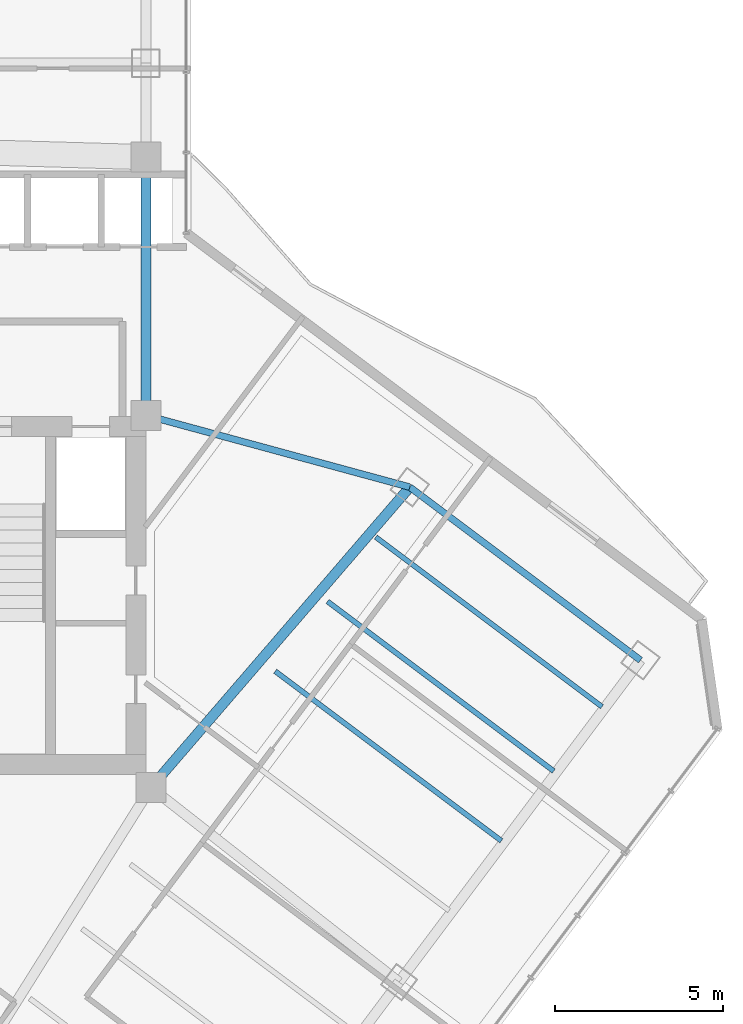
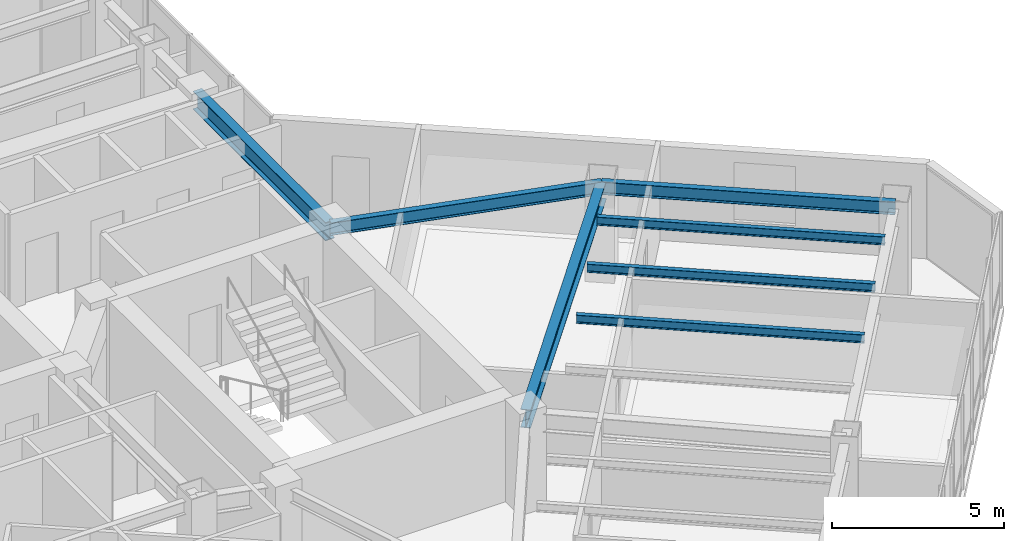
# One storey, part 14 of 27: 7 beams.
"""IFC4 building model written with IfcOpenShell, lengths in metres."""

import ifcopenshell
import ifcopenshell.guid

model = None  # the IFC model being written
_history = None  # IfcOwnerHistory: only IFC2X3 demands one
_inside = {}  # id of a spatial element -> (the spatial element, [elements in it])
_under = {}  # id of a project, library or spatial element -> (it, [spatial elements below it])
_declared = {}  # id of a project -> (the project, [libraries it declares])
_typed = {}  # id of a type object -> (the type object, [elements of that type])
_made_of = {}  # id of a material, layer set ... -> (it, [elements and type objects made of it])


def new_model(schema):
    """Start an empty IFC model of exactly this schema.

    Asked for "IFC4X3", IfcOpenShell would pick the latest addendum, in which some entities
    have other attributes; the version numbers below select the first issue.
    IFC2X3 requires an IfcOwnerHistory on every rooted entity: one is made here for all.
    """
    global model, _history
    if schema == "IFC4X3":
        model = ifcopenshell.file(schema_version=(4, 3, 0, 0))
    else:
        model = ifcopenshell.file(schema=schema)
    _inside.clear()
    _under.clear()
    _declared.clear()
    _typed.clear()
    _made_of.clear()
    _history = None
    if model.schema == "IFC2X3":
        org = make("IfcOrganization", Name="unknown")
        user = make(
            "IfcPersonAndOrganization",
            ThePerson=make("IfcPerson", FamilyName="unknown"),
            TheOrganization=org,
        )
        app = make(
            "IfcApplication",
            ApplicationDeveloper=org,
            Version="unknown",
            ApplicationFullName="unknown",
            ApplicationIdentifier="unknown",
        )
        _history = make(
            "IfcOwnerHistory",
            OwningUser=user,
            OwningApplication=app,
            ChangeAction="ADDED",
            CreationDate=0,
        )
    return model


def make(cls, **values):
    """One entity of the class cls with the attributes given. An attribute that is None is left unset."""
    return model.create_entity(
        cls, **{name: value for name, value in values.items() if value is not None}
    )


def rooted(cls, **values):
    """An entity with a GlobalId (a new one), such as an element, a storey or a relation."""
    return make(cls, GlobalId=ifcopenshell.guid.new(), OwnerHistory=_history, **values)


def si_unit(unit_type, name, prefix=None):
    """IfcSIUnit, for example si_unit("LENGTHUNIT", "METRE", prefix="MILLI")."""
    return make("IfcSIUnit", UnitType=unit_type, Prefix=prefix, Name=name)


def assignment(units):
    """IfcUnitAssignment: the units of a project."""
    return None if units is None else make("IfcUnitAssignment", Units=units)


def point(xyz):
    """IfcCartesianPoint."""
    return None if xyz is None else make("IfcCartesianPoint", Coordinates=xyz)


def direction(xyz):
    """IfcDirection."""
    return None if xyz is None else make("IfcDirection", DirectionRatios=xyz)


def frame(location, z_axis=None, x_axis=None):
    """IfcAxis2Placement3D, a coordinate frame: its origin and axes. An axis left out is left unset."""
    return make(
        "IfcAxis2Placement3D",
        Location=point(location),
        Axis=direction(z_axis),
        RefDirection=direction(x_axis),
    )


def frame_2d(location, x_axis=None):
    """IfcAxis2Placement2D, a coordinate frame in the plane: its origin and x axis."""
    return make(
        "IfcAxis2Placement2D", Location=point(location), RefDirection=direction(x_axis)
    )


def origin():
    """The frame at (0, 0, 0) with its axes left unset."""
    return frame((0.0, 0.0, 0.0))


def origin_2d():
    """The frame at (0, 0) in the plane with its x axis left unset."""
    return frame_2d((0.0, 0.0))


def place(relative_to, where):
    """IfcLocalPlacement: puts the frame where relative to a parent placement (None: the world)."""
    return make(
        "IfcLocalPlacement", PlacementRelTo=relative_to, RelativePlacement=where
    )


def context(
    kind, dimensions, precision=None, world=None, true_north=None, identifier=None
):
    """IfcGeometricRepresentationContext, for example the 3D "Model" context."""
    return make(
        "IfcGeometricRepresentationContext",
        ContextIdentifier=identifier,
        ContextType=kind,
        CoordinateSpaceDimension=dimensions,
        Precision=precision,
        WorldCoordinateSystem=world,
        TrueNorth=true_north,
    )


def subcontext(parent, identifier, kind, view, scale=None):
    """IfcGeometricRepresentationSubContext, for example "Body" below "Model"."""
    return make(
        "IfcGeometricRepresentationSubContext",
        ContextIdentifier=identifier,
        ContextType=kind,
        ParentContext=parent,
        TargetScale=scale,
        TargetView=view,
    )


def project(units=None, contexts=None):
    """IfcProject with its units and contexts."""
    return rooted(
        "IfcProject",
        Name="project",
        RepresentationContexts=contexts,
        UnitsInContext=assignment(units),
    )


def spatial(cls, under=None, at=None, **own):
    """A site, building, storey or space (cls), placed at a placement, below another one or the project."""
    s = rooted(cls, ObjectPlacement=at, **own)
    if under is not None:
        _under.setdefault(under.id(), (under, []))[1].append(s)
    return s


def profile(cls, at=None, kind="AREA", **sizes):
    """A parametric profile (cls). Its sizes go by their IFC names, for example OverallWidth=200.0."""
    return make(cls, ProfileType=kind, Position=at, **sizes)


def i_section(**sizes):
    """IfcIShapeProfileDef."""
    return profile("IfcIShapeProfileDef", **sizes)


def extrude(swept, where, along, depth):
    """IfcExtrudedAreaSolid: the profile swept, set in the frame where, extruded along a direction by depth."""
    return make(
        "IfcExtrudedAreaSolid",
        SweptArea=swept,
        Position=where,
        ExtrudedDirection=direction(along),
        Depth=depth,
    )


def shape(context_of_items, identifier, shape_type, items):
    """IfcShapeRepresentation: the items that make up one representation, for example the "Body"."""
    return make(
        "IfcShapeRepresentation",
        ContextOfItems=context_of_items,
        RepresentationIdentifier=identifier,
        RepresentationType=shape_type,
        Items=items,
    )


def material(Name=None, Category=None):
    """IfcMaterial."""
    return make("IfcMaterial", Name=Name, Category=Category)


def material_profile(
    of_material, cross_section, Name=None, Category=None, Priority=None
):
    """IfcMaterialProfile: a cross section and its material."""
    return make(
        "IfcMaterialProfile",
        Name=Name,
        Material=of_material,
        Profile=cross_section,
        Priority=Priority,
        Category=Category,
    )


def profile_set(profiles, Name=None, composite=None):
    """IfcMaterialProfileSet."""
    return make(
        "IfcMaterialProfileSet",
        Name=Name,
        MaterialProfiles=profiles,
        CompositeProfile=composite,
    )


def made_of(thing, what):
    """Note that an element or type object is made of a material, layer set ...; save() writes the relation."""
    if what is not None:
        _made_of.setdefault(what.id(), (what, []))[1].append(thing)
    return thing


def type_object(cls, material=None, **own):
    """A type object (cls), such as IfcWallType, which elements share."""
    return made_of(rooted(cls, **own), material)


def element(
    cls,
    number,
    at=None,
    inside=None,
    cuts=None,
    type_object=None,
    material=None,
    context=None,
    identifier="Body",
    shape_type=None,
    held_by="IfcProductDefinitionShape",
    body=None,
    shapes=None,
    **own,
):
    """One element of the class cls, such as IfcWall. Its Tag is "e" and its number.

    at: its placement. inside: the storey or other place that contains it. cuts: it is an
    opening in that element (IfcRelVoidsElement). A single representation is given by context,
    identifier, shape_type and body (its items); several are given by shapes. held_by: the class
    of the entity that holds the representations. save() writes the other relations.
    """
    e = rooted(cls, Tag="e%d" % number, ObjectPlacement=at, **own)
    if body is not None:
        shapes = [shape(context, identifier, shape_type, body)]
    if shapes is not None:
        e.Representation = make(held_by, Representations=shapes)
    if inside is not None:
        _inside.setdefault(inside.id(), (inside, []))[1].append(e)
    if cuts is not None:
        rooted(
            "IfcRelVoidsElement", RelatingBuildingElement=cuts, RelatedOpeningElement=e
        )
    if type_object is not None:
        _typed.setdefault(type_object.id(), (type_object, []))[1].append(e)
    return made_of(e, material)


def aggregate(whole, parts):
    """IfcRelAggregates: a whole, such as a stair, and the parts it consists of."""
    return rooted("IfcRelAggregates", RelatingObject=whole, RelatedObjects=parts)


def save(model, path):
    """Write the relations noted so far, then the file.

    IfcRelAggregates (storeys below a building ...), IfcRelContainedInSpatialStructure (elements
    in a storey), IfcRelDefinesByType, IfcRelAssociatesMaterial and IfcRelDeclares: one each for
    every whole, place, type object, material and project.
    """
    for whole, parts in _under.values():
        aggregate(whole, parts)
    for where, things in _inside.values():
        rooted(
            "IfcRelContainedInSpatialStructure",
            RelatedElements=things,
            RelatingStructure=where,
        )
    for kind, things in _typed.values():
        rooted("IfcRelDefinesByType", RelatedObjects=things, RelatingType=kind)
    for what, things in _made_of.values():
        rooted("IfcRelAssociatesMaterial", RelatedObjects=things, RelatingMaterial=what)
    for by, libraries in _declared.values():
        rooted("IfcRelDeclares", RelatingContext=by, RelatedDefinitions=libraries)
    model.write(path)


model = new_model("IFC4")

# Units and contexts
model_context = context("Model", 3, precision=1e-05, world=origin(), true_north=direction((0.0, 1.0)))
body_context = subcontext(model_context, "Body", "Model", "MODEL_VIEW")
ifc_project = project(units=[si_unit("LENGTHUNIT", "METRE"), si_unit("AREAUNIT", "SQUARE_METRE"), si_unit("VOLUMEUNIT", "CUBIC_METRE"), si_unit("PLANEANGLEUNIT", "RADIAN"), si_unit("MASSUNIT", "GRAM", prefix="KILO")], contexts=[model_context])

# Site, building, storey
site_placement = place(None, origin())
site = spatial("IfcSite", under=ifc_project, at=site_placement, CompositionType="ELEMENT")
building_placement = place(site_placement, origin())
building = spatial("IfcBuilding", under=site, at=building_placement, Name="Hatsunagi Terrace Concourse", CompositionType="ELEMENT")
storey_placement = place(building_placement, frame((0.0, 0.0, 142.050048828125)))
storey = spatial("IfcBuildingStorey", under=building, at=storey_placement, Name="L37", CompositionType="ELEMENT", Elevation=142.050048828125)

# Beams
ifc_material_1 = material(Name="Steel SN490B", Category="steel")
ifc_material_profile_1 = material_profile(ifc_material_1, i_section(OverallWidth=0.14990234375, OverallDepth=0.300048828125, WebThickness=0.006591796875, FlangeThickness=0.009033203125, FilletRadius=0.010986328125, at=origin_2d()), Name="H-300x150x6.5x9")
ifc_profile_set_1 = profile_set([ifc_material_profile_1], Name="Steel SN490B")
beam_type_1 = type_object("IfcBeamType", Name="OfficeJoist_H_300x150", PredefinedType="JOIST", material=ifc_profile_set_1)
for number, where, z_axis, x_axis, name in (
    (1, (47.508056640625, 27.6689453125, 3.199951171875), (0.800003475366, -0.59999536615, 0.0), (0.59999536615, 0.800003475366, 0.0), "Beam J-03 J-L37-SE-2-168"),
    (2, (49.068115234375, 29.7490234375, 3.199951171875), (0.799989573921, -0.600013901187, 0.0), (0.600013901187, 0.799989573921, 0.0), "Beam J-03 J-L37-SE-2-194"),
    (3, (50.508056640625, 31.6689453125, 3.199951171875), (0.800003475366, -0.59999536615, 0.0), (0.59999536615, 0.800003475366, 0.0), "Beam J-03 J-L37-SE-2-218"),
):
    element("IfcBeam", number, at=place(storey_placement, frame(where, z_axis=z_axis, x_axis=x_axis)), inside=storey, type_object=beam_type_1, Name=name, PredefinedType="JOIST", context=body_context, shape_type="SweptSolid", body=[
        extrude(i_section(OverallWidth=0.14990234375, OverallDepth=0.300048828125, WebThickness=0.006591796875, FlangeThickness=0.009033203125, FilletRadius=0.010986328125, at=origin_2d()), origin(), (0.0, 0.0, 1.0), 8.429931640625),
    ])
ifc_material_2 = material(Name="Steel SN490B", Category="steel")
ifc_material_profile_2 = material_profile(ifc_material_2, i_section(OverallWidth=0.300048828125, OverallDepth=0.64990234375, WebThickness=0.012939453125, FlangeThickness=0.02197265625, FilletRadius=0.01806640625, at=origin_2d()), Name="H-650x300x13x22")
ifc_profile_set_2 = profile_set([ifc_material_profile_2], Name="Steel SN490B")
beam_type_2 = type_object("IfcBeamType", Name="OfficeLowGirder_H_650x300", PredefinedType="BEAM", material=ifc_profile_set_2)
beam_1_placement = place(storey_placement, frame((43.64990234375, 35.300048828125, 3.02490234375), z_axis=(0.0, 1.0, 0.0), x_axis=(-1.0, 0.0, 0.0)))
element("IfcBeam", 4, at=beam_1_placement, inside=storey, type_object=beam_type_2, Name="Beam G-05 BM-L37-CBK3", PredefinedType="BEAM", context=body_context, shape_type="SweptSolid", body=[
    extrude(i_section(OverallWidth=0.300048828125, OverallDepth=0.64990234375, WebThickness=0.012939453125, FlangeThickness=0.02197265625, FilletRadius=0.01806640625, at=origin_2d()), origin(), (0.0, 0.0, 1.0), 7.699951171875),
])
beam_2_placement = place(storey_placement, frame((43.800048828125, 24.199951171875, 3.02490234375), z_axis=(0.652739101421, 0.757582777969, 0.0), x_axis=(-0.757582777969, 0.652739101421, 0.0)))
element("IfcBeam", 5, at=beam_2_placement, inside=storey, type_object=beam_type_2, Name="Beam G-05 BM-L37-SET-1B", PredefinedType="BEAM", context=body_context, shape_type="SweptSolid", body=[
    extrude(i_section(OverallWidth=0.300048828125, OverallDepth=0.64990234375, WebThickness=0.012939453125, FlangeThickness=0.02197265625, FilletRadius=0.01806640625, at=origin_2d()), origin(), (0.0, 0.0, 1.0), 11.8271484375),
])
ifc_material_3 = material(Name="Steel SN490B", Category="steel")
ifc_material_profile_3 = material_profile(ifc_material_3, i_section(OverallWidth=0.199951171875, OverallDepth=0.449951171875, WebThickness=0.009033203125, FlangeThickness=0.013916015625, FilletRadius=0.01611328125, at=origin_2d()), Name="H-450x200x9x14")
ifc_profile_set_3 = profile_set([ifc_material_profile_3], Name="Steel SN490B")
beam_type_3 = type_object("IfcBeamType", Name="PerimeterSpandrel_H_450x200", PredefinedType="SPANDREL", material=ifc_profile_set_3)
beam_3_placement = place(storey_placement, frame((43.64990234375, 35.300048828125, 3.125), z_axis=(0.964958359286, -0.262403057994, 0.0), x_axis=(0.262403057994, 0.964958359286, 0.0)))
element("IfcBeam", 6, at=beam_3_placement, inside=storey, type_object=beam_type_3, Name="Beam SP-02 BM-L37-SE-NE0", PredefinedType="SPANDREL", context=body_context, shape_type="SweptSolid", body=[
    extrude(i_section(OverallWidth=0.199951171875, OverallDepth=0.449951171875, WebThickness=0.009033203125, FlangeThickness=0.013916015625, FilletRadius=0.01611328125, at=origin_2d()), origin(), (0.0, 0.0, 1.0), 8.156005859375),
])
beam_4_placement = place(storey_placement, frame((51.52001953125, 33.159912109375, 3.125), z_axis=(0.8, -0.6, 0.0), x_axis=(0.6, 0.8, 0.0)))
element("IfcBeam", 7, at=beam_4_placement, inside=storey, type_object=beam_type_3, Name="Beam SP-02 BM-L37-SE-NE2", PredefinedType="SPANDREL", context=body_context, shape_type="SweptSolid", body=[
    extrude(i_section(OverallWidth=0.199951171875, OverallDepth=0.449951171875, WebThickness=0.009033203125, FlangeThickness=0.013916015625, FilletRadius=0.01611328125, at=origin_2d()), origin(), (0.0, 0.0, 1.0), 8.599853515625),
])

save(model, "model.ifc")
